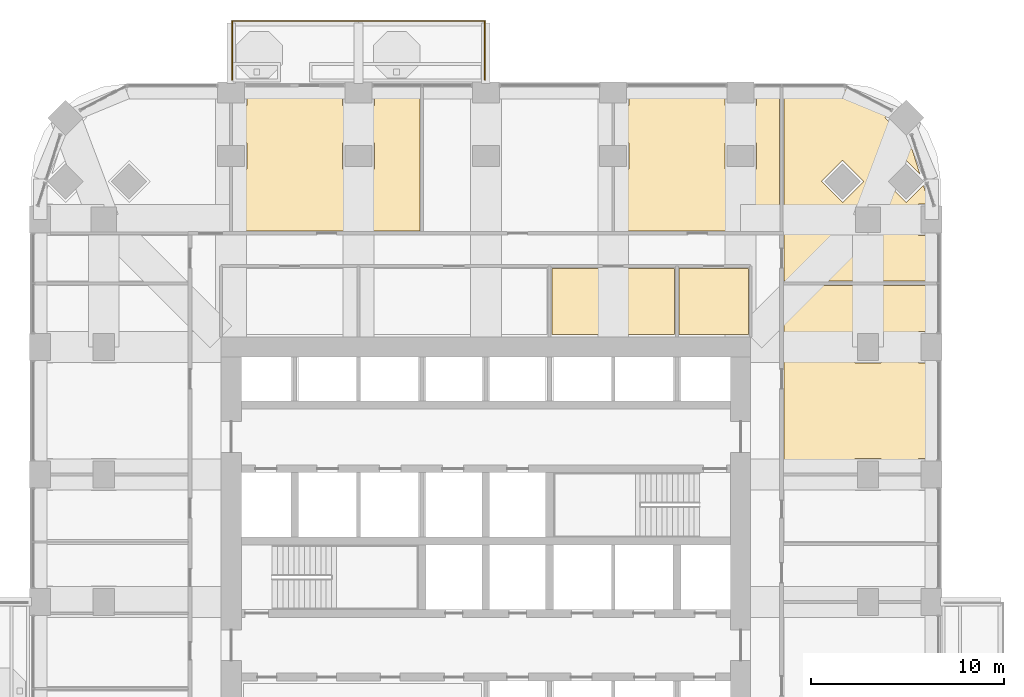
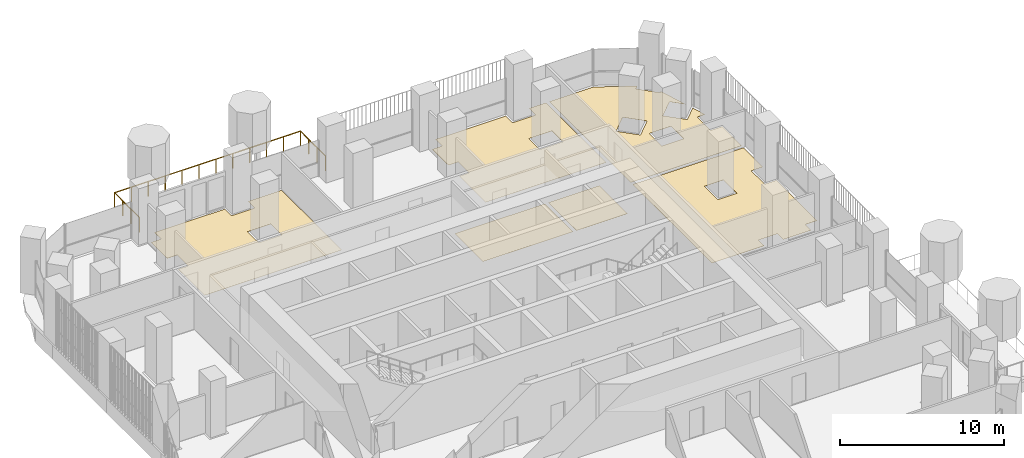
# One storey, part 20 of 21: 6 coverings, 1 railing.
"""IFC4 building model written with IfcOpenShell, lengths in metres."""

from ifc_helpers import new_model, si_unit, direction, frame, origin, place, context, subcontext, project, spatial, polyline, outline, extrude, material, layer, layer_set, type_object, element, save


model = new_model("IFC4")

# Units and contexts
model_context = context("Model", 3, precision=1e-05, world=origin(), true_north=direction((0.0, 1.0)))
body_context = subcontext(model_context, "Body", "Model", "MODEL_VIEW")
ifc_project = project(units=[si_unit("LENGTHUNIT", "METRE"), si_unit("AREAUNIT", "SQUARE_METRE"), si_unit("VOLUMEUNIT", "CUBIC_METRE"), si_unit("PLANEANGLEUNIT", "RADIAN"), si_unit("MASSUNIT", "GRAM", prefix="KILO")], contexts=[model_context])

# Site, building, storey
site_placement = place(None, origin())
site = spatial("IfcSite", under=ifc_project, at=site_placement, CompositionType="ELEMENT")
building_placement = place(site_placement, origin())
building = spatial("IfcBuilding", under=site, at=building_placement, Name="Cobogo Forest Laboratory Tower", CompositionType="ELEMENT")
storey_placement = place(building_placement, frame((0.0, 0.0, 132.60009765625)))
storey = spatial("IfcBuildingStorey", under=building, at=storey_placement, Name="L30", CompositionType="ELEMENT", Elevation=132.60009765625)

# Railing
ifc_material_1 = material(Name="Laminated glass balustrade", Category="glass")
railing_type = type_object("IfcRailingType", Name="BG1 glass balustrade 1100", PredefinedType="GUARDRAIL", material=ifc_material_1)
railing_placement = place(storey_placement, frame((13.25, 46.85009765625, 0.0)))
element("IfcRailing", 1, at=railing_placement, inside=storey, type_object=railing_type, Name="Balcony balustrade BAL-N1 L30", PredefinedType="GUARDRAIL", context=body_context, shape_type="SweptSolid", body=[
    extrude(outline(polyline([(0.022216796875, 0.00927734375), (0.00927734375, 0.022216796875), (-0.00927734375, 0.022216796875), (-0.022216796875, 0.00927734375), (-0.022216796875, -0.00927734375), (-0.00927734375, -0.022216796875), (0.00927734375, -0.022216796875), (0.022216796875, -0.00927734375), (0.022216796875, 0.00927734375)])), frame((0.0, 0.0, 1.077880859375), z_axis=(0.0, 1.0, 0.0), x_axis=(-1.0, 0.0, 0.0)), (0.0, 0.0, 1.0), 3.0498046875),
    extrude(outline(polyline([(0.022216796875, 0.00927734375), (0.00927734375, 0.022216796875), (-0.00927734375, 0.022216796875), (-0.022216796875, 0.00927734375), (-0.022216796875, -0.00927734375), (-0.00927734375, -0.022216796875), (0.00927734375, -0.022216796875), (0.022216796875, -0.00927734375), (0.022216796875, 0.00927734375)])), frame((0.0, 3.0498046875, 1.077880859375), z_axis=(1.0, 0.0, 0.0), x_axis=(0.0, 1.0, 0.0)), (0.0, 0.0, 1.0), 13.10009765625),
    extrude(outline(polyline([(0.022216796875, 0.00927734375), (0.00927734375, 0.022216796875), (-0.00927734375, 0.022216796875), (-0.022216796875, 0.00927734375), (-0.022216796875, -0.00927734375), (-0.00927734375, -0.022216796875), (0.00927734375, -0.022216796875), (0.022216796875, -0.00927734375), (0.022216796875, 0.00927734375)])), frame((13.10009765625, 3.0498046875, 1.077880859375), z_axis=(0.0, -1.0, 0.0), x_axis=(1.0, 0.0, 0.0)), (0.0, 0.0, 1.0), 3.0498046875),
    extrude(outline(polyline([(0.019287109375, 0.008056640625), (0.008056640625, 0.019287109375), (-0.008056640625, 0.019287109375), (-0.019287109375, 0.008056640625), (-0.019287109375, -0.008056640625), (-0.008056640625, -0.019287109375), (0.008056640625, -0.019287109375), (0.019287109375, -0.008056640625), (0.019287109375, 0.008056640625)])), origin(), (0.0, 0.0, 1.0), 1.077880859375),
    extrude(outline(polyline([(0.019287109375, 0.008056640625), (0.008056640625, 0.019287109375), (-0.008056640625, 0.019287109375), (-0.019287109375, 0.008056640625), (-0.019287109375, -0.008056640625), (-0.008056640625, -0.019287109375), (0.008056640625, -0.019287109375), (0.019287109375, -0.008056640625), (0.019287109375, 0.008056640625)])), frame((0.0, 1.0166015625, 0.0)), (0.0, 0.0, 1.0), 1.077880859375),
    extrude(outline(polyline([(0.019287109375, 0.008056640625), (0.008056640625, 0.019287109375), (-0.008056640625, 0.019287109375), (-0.019287109375, 0.008056640625), (-0.019287109375, -0.008056640625), (-0.008056640625, -0.019287109375), (0.008056640625, -0.019287109375), (0.019287109375, -0.008056640625), (0.019287109375, 0.008056640625)])), frame((0.0, 2.033203125, 0.0)), (0.0, 0.0, 1.0), 1.077880859375),
    extrude(outline(polyline([(0.019287109375, 0.008056640625), (0.008056640625, 0.019287109375), (-0.008056640625, 0.019287109375), (-0.019287109375, 0.008056640625), (-0.019287109375, -0.008056640625), (-0.008056640625, -0.019287109375), (0.008056640625, -0.019287109375), (0.019287109375, -0.008056640625), (0.019287109375, 0.008056640625)])), frame((0.0, 3.0498046875, 0.0)), (0.0, 0.0, 1.0), 1.077880859375),
    extrude(outline(polyline([(0.019287109375, 0.008056640625), (0.008056640625, 0.019287109375), (-0.008056640625, 0.019287109375), (-0.019287109375, 0.008056640625), (-0.019287109375, -0.008056640625), (-0.008056640625, -0.019287109375), (0.008056640625, -0.019287109375), (0.019287109375, -0.008056640625), (0.019287109375, 0.008056640625)])), frame((1.19091796875, 3.0498046875, 0.0)), (0.0, 0.0, 1.0), 1.077880859375),
    extrude(outline(polyline([(0.019287109375, 0.008056640625), (0.008056640625, 0.019287109375), (-0.008056640625, 0.019287109375), (-0.019287109375, 0.008056640625), (-0.019287109375, -0.008056640625), (-0.008056640625, -0.019287109375), (0.008056640625, -0.019287109375), (0.019287109375, -0.008056640625), (0.019287109375, 0.008056640625)])), frame((2.3818359375, 3.0498046875, 0.0)), (0.0, 0.0, 1.0), 1.077880859375),
    extrude(outline(polyline([(0.019287109375, 0.008056640625), (0.008056640625, 0.019287109375), (-0.008056640625, 0.019287109375), (-0.019287109375, 0.008056640625), (-0.019287109375, -0.008056640625), (-0.008056640625, -0.019287109375), (0.008056640625, -0.019287109375), (0.019287109375, -0.008056640625), (0.019287109375, 0.008056640625)])), frame((3.57275390625, 3.0498046875, 0.0)), (0.0, 0.0, 1.0), 1.077880859375),
    extrude(outline(polyline([(0.019287109375, 0.008056640625), (0.008056640625, 0.019287109375), (-0.008056640625, 0.019287109375), (-0.019287109375, 0.008056640625), (-0.019287109375, -0.008056640625), (-0.008056640625, -0.019287109375), (0.008056640625, -0.019287109375), (0.019287109375, -0.008056640625), (0.019287109375, 0.008056640625)])), frame((4.763671875, 3.0498046875, 0.0)), (0.0, 0.0, 1.0), 1.077880859375),
    extrude(outline(polyline([(0.019287109375, 0.008056640625), (0.008056640625, 0.019287109375), (-0.008056640625, 0.019287109375), (-0.019287109375, 0.008056640625), (-0.019287109375, -0.008056640625), (-0.008056640625, -0.019287109375), (0.008056640625, -0.019287109375), (0.019287109375, -0.008056640625), (0.019287109375, 0.008056640625)])), frame((5.95458984375, 3.0498046875, 0.0)), (0.0, 0.0, 1.0), 1.077880859375),
    extrude(outline(polyline([(0.019287109375, 0.008056640625), (0.008056640625, 0.019287109375), (-0.008056640625, 0.019287109375), (-0.019287109375, 0.008056640625), (-0.019287109375, -0.008056640625), (-0.008056640625, -0.019287109375), (0.008056640625, -0.019287109375), (0.019287109375, -0.008056640625), (0.019287109375, 0.008056640625)])), frame((7.1455078125, 3.0498046875, 0.0)), (0.0, 0.0, 1.0), 1.077880859375),
    extrude(outline(polyline([(0.019287109375, 0.008056640625), (0.008056640625, 0.019287109375), (-0.008056640625, 0.019287109375), (-0.019287109375, 0.008056640625), (-0.019287109375, -0.008056640625), (-0.008056640625, -0.019287109375), (0.008056640625, -0.019287109375), (0.019287109375, -0.008056640625), (0.019287109375, 0.008056640625)])), frame((8.33642578125, 3.0498046875, 0.0)), (0.0, 0.0, 1.0), 1.077880859375),
    extrude(outline(polyline([(0.019287109375, 0.008056640625), (0.008056640625, 0.019287109375), (-0.008056640625, 0.019287109375), (-0.019287109375, 0.008056640625), (-0.019287109375, -0.008056640625), (-0.008056640625, -0.019287109375), (0.008056640625, -0.019287109375), (0.019287109375, -0.008056640625), (0.019287109375, 0.008056640625)])), frame((9.52734375, 3.0498046875, 0.0)), (0.0, 0.0, 1.0), 1.077880859375),
    extrude(outline(polyline([(0.019287109375, 0.008056640625), (0.008056640625, 0.019287109375), (-0.008056640625, 0.019287109375), (-0.019287109375, 0.008056640625), (-0.019287109375, -0.008056640625), (-0.008056640625, -0.019287109375), (0.008056640625, -0.019287109375), (0.019287109375, -0.008056640625), (0.019287109375, 0.008056640625)])), frame((10.71826171875, 3.0498046875, 0.0)), (0.0, 0.0, 1.0), 1.077880859375),
    extrude(outline(polyline([(0.019287109375, 0.008056640625), (0.008056640625, 0.019287109375), (-0.008056640625, 0.019287109375), (-0.019287109375, 0.008056640625), (-0.019287109375, -0.008056640625), (-0.008056640625, -0.019287109375), (0.008056640625, -0.019287109375), (0.019287109375, -0.008056640625), (0.019287109375, 0.008056640625)])), frame((11.9091796875, 3.0498046875, 0.0)), (0.0, 0.0, 1.0), 1.077880859375),
    extrude(outline(polyline([(0.019287109375, 0.008056640625), (0.008056640625, 0.019287109375), (-0.008056640625, 0.019287109375), (-0.019287109375, 0.008056640625), (-0.019287109375, -0.008056640625), (-0.008056640625, -0.019287109375), (0.008056640625, -0.019287109375), (0.019287109375, -0.008056640625), (0.019287109375, 0.008056640625)])), frame((13.10009765625, 3.0498046875, 0.0)), (0.0, 0.0, 1.0), 1.077880859375),
    extrude(outline(polyline([(0.019287109375, 0.008056640625), (0.008056640625, 0.019287109375), (-0.008056640625, 0.019287109375), (-0.019287109375, 0.008056640625), (-0.019287109375, -0.008056640625), (-0.008056640625, -0.019287109375), (0.008056640625, -0.019287109375), (0.019287109375, -0.008056640625), (0.019287109375, 0.008056640625)])), frame((13.10009765625, 2.033203125, 0.0)), (0.0, 0.0, 1.0), 1.077880859375),
    extrude(outline(polyline([(0.019287109375, 0.008056640625), (0.008056640625, 0.019287109375), (-0.008056640625, 0.019287109375), (-0.019287109375, 0.008056640625), (-0.019287109375, -0.008056640625), (-0.008056640625, -0.019287109375), (0.008056640625, -0.019287109375), (0.019287109375, -0.008056640625), (0.019287109375, 0.008056640625)])), frame((13.10009765625, 1.0166015625, 0.0)), (0.0, 0.0, 1.0), 1.077880859375),
    extrude(outline(polyline([(0.019287109375, 0.008056640625), (0.008056640625, 0.019287109375), (-0.008056640625, 0.019287109375), (-0.019287109375, 0.008056640625), (-0.019287109375, -0.008056640625), (-0.008056640625, -0.019287109375), (0.008056640625, -0.019287109375), (0.019287109375, -0.008056640625), (0.019287109375, 0.008056640625)])), frame((13.10009765625, 0.0, 0.0)), (0.0, 0.0, 1.0), 1.077880859375),
])

# Coverings
ifc_material_2 = material(Name="Carpet tile on raised access floor", Category="flooring")
ifc_layer_1 = layer(ifc_material_2, 0.008056640625)
ifc_layer_set_1 = layer_set([ifc_layer_1], Name="CT1 carpet tile floor 8")
covering_type_1 = type_object("IfcCoveringType", Name="CT1 carpet tile floor 8", PredefinedType="FLOORING", material=ifc_layer_set_1)
covering_1_placement = place(storey_placement, origin())
element("IfcCovering", 2, at=covering_1_placement, inside=storey, type_object=covering_type_1, Name="Carpet floor L30-17", PredefinedType="FLOORING", context=body_context, shape_type="SweptSolid", body=[
    extrude(outline(polyline([(41.844970703125, 36.179931640625), (49.64990234375, 36.179931640625), (49.64990234375, 33.820068359375), (48.830078125, 33.820068359375), (48.830078125, 32.179931640625), (49.64990234375, 32.179931640625), (49.64990234375, 27.219970703125), (48.830078125, 27.219970703125), (48.830078125, 26.52001953125), (46.8701171875, 26.52001953125), (46.8701171875, 27.219970703125), (45.530029296875, 27.219970703125), (45.530029296875, 26.52001953125), (41.844970703125, 26.52001953125), (41.844970703125, 36.179931640625)]), holes=[polyline([(46.8701171875, 32.179931640625), (46.8701171875, 33.820068359375), (45.530029296875, 33.820068359375), (45.530029296875, 32.179931640625), (46.8701171875, 32.179931640625)])]), origin(), (0.0, 0.0, 1.0), 0.0078125),
])
covering_2_placement = place(storey_placement, origin())
element("IfcCovering", 3, at=covering_2_placement, inside=storey, type_object=covering_type_1, Name="Carpet floor L30-18", PredefinedType="FLOORING", context=body_context, shape_type="SweptSolid", body=[
    extrude(outline(polyline([(41.844970703125, 46.35009765625), (44.95068359375, 46.35009765625), (47.3193359375, 45.1083984375), (47.093017578125, 44.882080078125), (48.181884765625, 43.79296875), (48.283935546875, 43.89501953125), (48.89599609375, 41.95703125), (48.181884765625, 42.6708984375), (47.093017578125, 41.58203125), (48.181884765625, 40.492919921875), (49.075927734375, 41.386962890625), (49.38134765625, 40.419921875), (48.830078125, 40.419921875), (48.830078125, 38.780029296875), (49.64990234375, 38.780029296875), (49.64990234375, 36.419921875), (41.844970703125, 36.419921875), (41.844970703125, 46.35009765625)]), holes=[polyline([(45.429931640625, 40.3701171875), (45.429931640625, 38.830078125), (46.969970703125, 38.830078125), (46.969970703125, 40.3701171875), (45.429931640625, 40.3701171875)]), polyline([(43.79296875, 41.58203125), (44.882080078125, 40.492919921875), (45.970947265625, 41.58203125), (44.882080078125, 42.6708984375), (43.79296875, 41.58203125)])]), origin(), (0.0, 0.0, 1.0), 0.0078125),
])
covering_3_placement = place(storey_placement, origin())
element("IfcCovering", 4, at=covering_3_placement, inside=storey, type_object=covering_type_1, Name="Carpet floor L30-20", PredefinedType="FLOORING", context=body_context, shape_type="SweptSolid", body=[
    extrude(outline(polyline([(13.320068359375, 39.02001953125), (13.320068359375, 42.22998046875), (14.02001953125, 42.22998046875), (14.02001953125, 43.570068359375), (13.320068359375, 43.570068359375), (13.320068359375, 45.530029296875), (14.02001953125, 45.530029296875), (14.02001953125, 46.35009765625), (18.97998046875, 46.35009765625), (18.97998046875, 45.530029296875), (20.6201171875, 45.530029296875), (20.6201171875, 46.35009765625), (22.97998046875, 46.35009765625), (22.97998046875, 39.02001953125), (13.320068359375, 39.02001953125)]), holes=[polyline([(18.97998046875, 42.22998046875), (20.6201171875, 42.22998046875), (20.6201171875, 43.570068359375), (18.97998046875, 43.570068359375), (18.97998046875, 42.22998046875)])]), origin(), (0.0, 0.0, 1.0), 0.0078125),
])
covering_4_placement = place(storey_placement, origin())
element("IfcCovering", 5, at=covering_4_placement, inside=storey, type_object=covering_type_1, Name="Carpet floor L30-22", PredefinedType="FLOORING", context=body_context, shape_type="SweptSolid", body=[
    extrude(outline(polyline([(33.1201171875, 39.02001953125), (33.1201171875, 42.22998046875), (33.820068359375, 42.22998046875), (33.820068359375, 43.570068359375), (33.1201171875, 43.570068359375), (33.1201171875, 45.530029296875), (33.820068359375, 45.530029296875), (33.820068359375, 46.35009765625), (38.780029296875, 46.35009765625), (38.780029296875, 45.530029296875), (40.419921875, 45.530029296875), (40.419921875, 46.35009765625), (41.60498046875, 46.35009765625), (41.60498046875, 39.02001953125), (33.1201171875, 39.02001953125)]), holes=[polyline([(38.780029296875, 43.570068359375), (38.780029296875, 42.22998046875), (40.419921875, 42.22998046875), (40.419921875, 43.570068359375), (38.780029296875, 43.570068359375)])]), origin(), (0.0, 0.0, 1.0), 0.0078125),
])
ifc_material_3 = material(Name="Epoxy resin flooring", Category="flooring")
ifc_layer_2 = layer(ifc_material_3, 0.00390625)
ifc_layer_set_2 = layer_set([ifc_layer_2], Name="LF1 epoxy laboratory floor 4")
covering_type_2 = type_object("IfcCoveringType", Name="LF1 epoxy laboratory floor 4", PredefinedType="FLOORING", material=ifc_layer_set_2)
covering_5_placement = place(storey_placement, origin())
element("IfcCovering", 6, at=covering_5_placement, inside=storey, type_object=covering_type_2, Name="Epoxy laboratory floor L30-03", PredefinedType="FLOORING", context=body_context, shape_type="SweptSolid", body=[
    extrude(outline(polyline([(36.179931640625, 33.64501953125), (29.820068359375, 33.64501953125), (29.820068359375, 37.080078125), (36.179931640625, 37.080078125), (36.179931640625, 33.64501953125)])), origin(), (0.0, 0.0, 1.0), 0.00390625),
])
ifc_material_4 = material(Name="Ceramic floor tile", Category="flooring")
ifc_layer_3 = layer(ifc_material_4, 0.010009765625)
ifc_layer_set_3 = layer_set([ifc_layer_3], Name="TF1 ceramic tile floor 10")
covering_type_3 = type_object("IfcCoveringType", Name="TF1 ceramic tile floor 10", PredefinedType="FLOORING", material=ifc_layer_set_3)
covering_6_placement = place(storey_placement, origin())
element("IfcCovering", 7, at=covering_6_placement, inside=storey, type_object=covering_type_3, Name="Tile floor L30-04", PredefinedType="FLOORING", context=body_context, shape_type="SweptSolid", body=[
    extrude(outline(polyline([(40.0048828125, 33.64501953125), (36.419921875, 33.64501953125), (36.419921875, 37.080078125), (40.0048828125, 37.080078125), (40.0048828125, 33.64501953125)])), origin(), (0.0, 0.0, 1.0), 0.010009765625),
])

save(model, "model.ifc")
